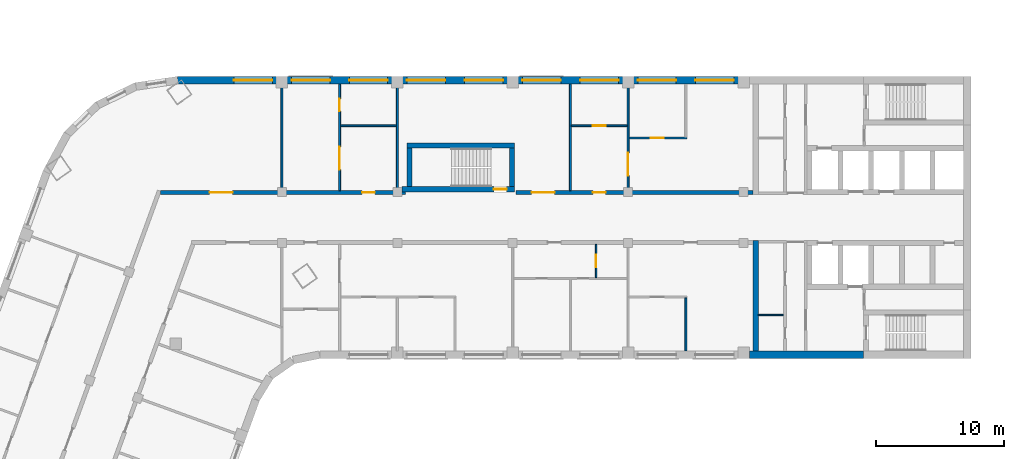
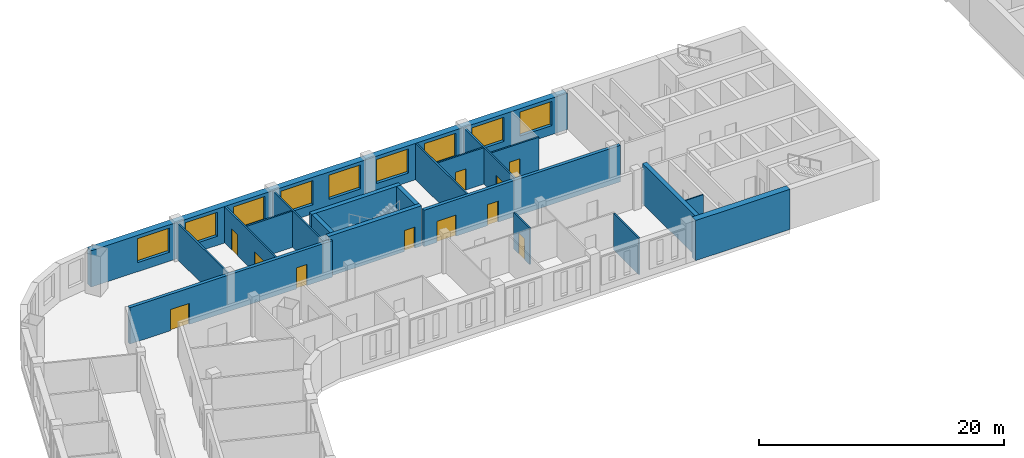
# One storey, part 5 of 12: 20 walls, 11 doors, 9 windows, 20 openings.
"""IFC4 building model written with IfcOpenShell, lengths in metres."""

from ifc_helpers import new_model, si_unit, direction, frame, frame_2d, origin, place, context, subcontext, project, spatial, rectangle, extrude, material, layer, layer_set, type_object, element, fill, save


model = new_model("IFC4")

# Units and contexts
model_context = context("Model", 3, precision=1e-05, world=origin(), true_north=direction((0.0, 1.0)))
body_context = subcontext(model_context, "Body", "Model", "MODEL_VIEW")
ifc_project = project(units=[si_unit("LENGTHUNIT", "METRE"), si_unit("AREAUNIT", "SQUARE_METRE"), si_unit("VOLUMEUNIT", "CUBIC_METRE"), si_unit("PLANEANGLEUNIT", "RADIAN"), si_unit("MASSUNIT", "GRAM", prefix="KILO")], contexts=[model_context])

# Site, building, storey
site_placement = place(None, origin())
site = spatial("IfcSite", under=ifc_project, at=site_placement, CompositionType="ELEMENT")
building_placement = place(site_placement, origin())
building = spatial("IfcBuilding", under=site, at=building_placement, Name="Skarvind Civic Tower", CompositionType="ELEMENT")
storey_placement = place(building_placement, frame((0.0, 0.0, 63.5)))
storey = spatial("IfcBuildingStorey", under=building, at=storey_placement, Name="L14", CompositionType="ELEMENT", Elevation=63.5)

# Wall, openings, doors
ifc_material_1 = material(Name="Fire-rated gypsum board on steel studs", Category="steel")
ifc_layer_1 = layer(ifc_material_1, 0.300048828125)
ifc_layer_set_1 = layer_set([ifc_layer_1], Name="CORRIDOR WALL 300")
wall_type_1 = type_object("IfcWallType", Name="CORRIDOR WALL 300", PredefinedType="PARTITIONING", material=ifc_layer_set_1)
wall_1_placement = place(storey_placement, frame((44.784912109375, 129.949951171875, 0.0), z_axis=(0.0, 0.0, 1.0), x_axis=(1.0, 0.0, 0.0)))
wall_1 = element("IfcWall", 1, at=wall_1_placement, inside=storey, type_object=wall_type_1, Name="Partition 14.016", PredefinedType="PARTITIONING", context=body_context, shape_type="SweptSolid", body=[
    extrude(rectangle(XDim=19.114990234375, YDim=0.300048828125, at=frame_2d((9.5576171875, 0.0))), origin(), (0.0, 0.0, 1.0), 3.625),
])
opening_1_placement = place(wall_1_placement, frame((15.715087890625, 0.0, 0.0)))
opening_1 = element("IfcOpeningElement", 2, at=opening_1_placement, cuts=wall_1, Name="Opening L14-D006", PredefinedType="OPENING", context=body_context, shape_type="SweptSolid", body=[
    extrude(rectangle(XDim=1.0, YDim=2.10009765625, at=frame_2d((0.5, 1.050048828125))), frame((0.0, 0.159912109375, 0.0), z_axis=(0.0, -1.0, 0.0), x_axis=(1.0, 0.0, 0.0)), (0.0, 0.0, 1.0), 0.320068359375),
])
opening_2_placement = place(wall_1_placement, frame((3.822509765625, 0.0, 0.0)))
opening_2 = element("IfcOpeningElement", 3, at=opening_2_placement, cuts=wall_1, Name="Opening L14-D032", PredefinedType="OPENING", context=body_context, shape_type="SweptSolid", body=[
    extrude(rectangle(XDim=1.800048828125, YDim=2.10009765625, at=frame_2d((0.89990234375, 1.050048828125))), frame((0.0, 0.159912109375, 0.0), z_axis=(0.0, -1.0, 0.0), x_axis=(1.0, 0.0, 0.0)), (0.0, 0.0, 1.0), 0.320068359375),
])
ifc_material_2 = material(Name="Fire-rated timber door leaf", Category="wood")
door_type_1 = type_object("IfcDoorType", Name="FD1 1000x2100", OperationType="NOTDEFINED", PredefinedType="DOOR", material=ifc_material_2)
door_1_placement = place(opening_1_placement, origin())
door_1 = element("IfcDoor", 4, at=door_1_placement, inside=storey, type_object=door_type_1, Name="Door L14-D006", OperationType="SINGLE_SWING_LEFT", OverallHeight=2.10009765625, OverallWidth=1.0, PredefinedType="DOOR", context=body_context, shape_type="SweptSolid", body=[
    extrude(rectangle(XDim=1.0, YDim=2.10009765625, at=frame_2d((0.5, 1.050048828125))), frame((0.0, 0.02490234375, 0.0), z_axis=(0.0, -1.0, 0.0), x_axis=(1.0, 0.0, 0.0)), (0.0, 0.0, 1.0), 0.050048828125),
])
fill(opening_1, door_1)
door_type_2 = type_object("IfcDoorType", Name="FD4 1800x2100", OperationType="NOTDEFINED", PredefinedType="DOOR", material=ifc_material_2)
door_2_placement = place(opening_2_placement, origin())
door_2 = element("IfcDoor", 5, at=door_2_placement, inside=storey, type_object=door_type_2, Name="Door L14-D032", OperationType="DOUBLE_DOOR_SINGLE_SWING", OverallHeight=2.10009765625, OverallWidth=1.800048828125, PredefinedType="DOOR", context=body_context, shape_type="SweptSolid", body=[
    extrude(rectangle(XDim=1.800048828125, YDim=2.10009765625, at=frame_2d((0.89990234375, 1.050048828125))), frame((0.0, 0.02490234375, 0.0), z_axis=(0.0, -1.0, 0.0), x_axis=(1.0, 0.0, 0.0)), (0.0, 0.0, 1.0), 0.050048828125),
])
fill(opening_2, door_2)

wall_2_placement = place(storey_placement, frame((72.5, 129.949951171875, 0.0), z_axis=(0.0, 0.0, 1.0), x_axis=(1.0, 0.0, 0.0)))
wall_2 = element("IfcWall", 6, at=wall_2_placement, inside=storey, type_object=wall_type_1, Name="Partition 14.032", PredefinedType="PARTITIONING", context=body_context, shape_type="SweptSolid", body=[
    extrude(rectangle(XDim=18.5, YDim=0.300048828125, at=frame_2d((9.25, 0.0))), origin(), (0.0, 0.0, 1.0), 3.625),
])
opening_3_placement = place(wall_2_placement, frame((6.0, 0.0, 0.0)))
opening_3 = element("IfcOpeningElement", 7, at=opening_3_placement, cuts=wall_2, Name="Opening L14-D001", PredefinedType="OPENING", context=body_context, shape_type="SweptSolid", body=[
    extrude(rectangle(XDim=1.0, YDim=2.10009765625, at=frame_2d((0.5, 1.050048828125))), frame((0.0, 0.159912109375, 0.0), z_axis=(0.0, -1.0, 0.0), x_axis=(1.0, 0.0, 0.0)), (0.0, 0.0, 1.0), 0.320068359375),
])
opening_4_placement = place(wall_2_placement, frame((1.22509765625, 0.0, 0.0)))
opening_4 = element("IfcOpeningElement", 8, at=opening_4_placement, cuts=wall_2, Name="Opening L14-D005", PredefinedType="OPENING", context=body_context, shape_type="SweptSolid", body=[
    extrude(rectangle(XDim=1.800048828125, YDim=2.10009765625, at=frame_2d((0.89990234375, 1.050048828125))), frame((0.0, 0.159912109375, 0.0), z_axis=(0.0, -1.0, 0.0), x_axis=(1.0, 0.0, 0.0)), (0.0, 0.0, 1.0), 0.320068359375),
])
door_3_placement = place(opening_3_placement, origin())
door_3 = element("IfcDoor", 9, at=door_3_placement, inside=storey, type_object=door_type_1, Name="Door L14-D001", OperationType="SINGLE_SWING_RIGHT", OverallHeight=2.10009765625, OverallWidth=1.0, PredefinedType="DOOR", context=body_context, shape_type="SweptSolid", body=[
    extrude(rectangle(XDim=1.0, YDim=2.10009765625, at=frame_2d((0.5, 1.050048828125))), frame((0.0, 0.02490234375, 0.0), z_axis=(0.0, -1.0, 0.0), x_axis=(1.0, 0.0, 0.0)), (0.0, 0.0, 1.0), 0.050048828125),
])
fill(opening_3, door_3)
door_4_placement = place(opening_4_placement, origin())
door_4 = element("IfcDoor", 10, at=door_4_placement, inside=storey, type_object=door_type_2, Name="Door L14-D005", OperationType="DOUBLE_DOOR_SINGLE_SWING", OverallHeight=2.10009765625, OverallWidth=1.800048828125, PredefinedType="DOOR", context=body_context, shape_type="SweptSolid", body=[
    extrude(rectangle(XDim=1.800048828125, YDim=2.10009765625, at=frame_2d((0.89990234375, 1.050048828125))), frame((0.0, 0.02490234375, 0.0), z_axis=(0.0, -1.0, 0.0), x_axis=(1.0, 0.0, 0.0)), (0.0, 0.0, 1.0), 0.050048828125),
])
fill(opening_4, door_4)

# Walls
ifc_material_3 = material(Name="Fire-rated plasterboard partition")
ifc_layer_2 = layer(ifc_material_3, 0.10009765625)
ifc_layer_set_2 = layer_set([ifc_layer_2], Name="Core partition wall 100")
wall_type_2 = type_object("IfcWallType", Name="Core partition wall 100", PredefinedType="PARTITIONING", material=ifc_layer_set_2)
wall_3_placement = place(storey_placement, frame((93.35009765625, 120.39990234375, 0.0), z_axis=(0.0, 0.0, 1.0), x_axis=(-1.0, 0.0, 0.0)))
element("IfcWall", 11, at=wall_3_placement, inside=storey, type_object=wall_type_2, Name="Core wall C1", PredefinedType="PARTITIONING", context=body_context, shape_type="SweptSolid", body=[
    extrude(rectangle(XDim=1.9501953125, YDim=0.10009765625, at=frame_2d((0.97509765625, 0.0))), origin(), (0.0, 0.0, 1.0), 3.625),
])
ifc_material_4 = material(Name="Concrete C80", Category="concrete")
ifc_layer_3 = layer(ifc_material_4, 0.39990234375)
ifc_layer_set_3 = layer_set([ifc_layer_3], Name="Core wall 400 C80")
wall_type_3 = type_object("IfcWallType", Name="Core wall 400 C80", PredefinedType="SHEAR", material=ifc_layer_set_3)
wall_4_placement = place(storey_placement, frame((91.199951171875, 126.199951171875, 0.0), z_axis=(0.0, 0.0, 1.0), x_axis=(0.0, -1.0, 0.0)))
element("IfcWall", 12, at=wall_4_placement, inside=storey, type_object=wall_type_3, Name="Core wall C1 north inner face L14", PredefinedType="SHEAR", context=body_context, shape_type="SweptSolid", body=[
    extrude(rectangle(XDim=8.599853515625, YDim=0.39990234375, at=frame_2d((4.2998046875, 0.0))), origin(), (0.0, 0.0, 1.0), 4.0),
])

# Wall, opening, door
wall_5_placement = place(storey_placement, frame((63.60009765625, 130.199951171875, 0.0), z_axis=(0.0, 0.0, 1.0), x_axis=(1.0, 0.0, 0.0)))
wall_5 = element("IfcWall", 13, at=wall_5_placement, inside=storey, type_object=wall_type_3, Name="Core wall CM inner L14", PredefinedType="SHEAR", context=body_context, shape_type="SweptSolid", body=[
    extrude(rectangle(XDim=8.7998046875, YDim=0.39990234375, at=frame_2d((4.39990234375, 0.0))), origin(), (0.0, 0.0, 1.0), 4.0),
])
opening_5_placement = place(wall_5_placement, frame((7.175048828125, 0.0, 0.0)))
opening_5 = element("IfcOpeningElement", 14, at=opening_5_placement, cuts=wall_5, Name="Opening D-L14-CM-01", PredefinedType="OPENING", context=body_context, shape_type="SweptSolid", body=[
    extrude(rectangle(XDim=1.0, YDim=2.10009765625, at=frame_2d((0.5, 1.050048828125))), frame((0.0, 0.2099609375, 0.0), z_axis=(0.0, -1.0, 0.0), x_axis=(1.0, 0.0, 0.0)), (0.0, 0.0, 1.0), 0.419921875),
])
ifc_material_5 = material(Name="Fire-rated steel door", Category="steel")
door_type_3 = type_object("IfcDoorType", Name="Fire door 1000", OperationType="NOTDEFINED", PredefinedType="DOOR", material=ifc_material_5)
door_5_placement = place(opening_5_placement, origin())
door_5 = element("IfcDoor", 15, at=door_5_placement, inside=storey, type_object=door_type_3, Name="Fire door", OperationType="SINGLE_SWING_LEFT", OverallHeight=2.10009765625, OverallWidth=1.0, PredefinedType="DOOR", context=body_context, shape_type="SweptSolid", body=[
    extrude(rectangle(XDim=1.0, YDim=2.10009765625, at=frame_2d((0.5, 1.050048828125))), frame((0.0, 0.02490234375, 0.0), z_axis=(0.0, -1.0, 0.0), x_axis=(1.0, 0.0, 0.0)), (0.0, 0.0, 1.0), 0.050048828125),
])
fill(opening_5, door_5)

# Walls
wall_6_placement = place(storey_placement, frame((64.0, 133.60009765625, 0.0), z_axis=(0.0, 0.0, 1.0), x_axis=(1.0, 0.0, 0.0)))
element("IfcWall", 16, at=wall_6_placement, inside=storey, type_object=wall_type_3, Name="Core wall CM outer L14", PredefinedType="SHEAR", context=body_context, shape_type="SweptSolid", body=[
    extrude(rectangle(XDim=8.39990234375, YDim=0.39990234375, at=frame_2d((4.199951171875, 0.0))), origin(), (0.0, 0.0, 1.0), 4.0),
])
for number, where, z_axis, x_axis, name in (
    (17, (64.199951171875, 130.39990234375, 0.0), (0.0, 0.0, 1.0), (0.0, 1.0, 0.0), "Core wall CM west L14"),
    (18, (72.199951171875, 130.39990234375, 0.0), (0.0, 0.0, 1.0), (0.0, 1.0, 0.0), "Core wall CM end L14"),
):
    element("IfcWall", number, at=place(storey_placement, frame(where, z_axis=z_axis, x_axis=x_axis)), inside=storey, type_object=wall_type_3, Name=name, PredefinedType="SHEAR", context=body_context, shape_type="SweptSolid", body=[
        extrude(rectangle(XDim=3.0, YDim=0.39990234375, at=frame_2d((1.5, 0.0))), origin(), (0.0, 0.0, 1.0), 4.0),
    ])
ifc_layer_4 = layer(ifc_material_4, 0.60009765625)
ifc_layer_set_4 = layer_set([ifc_layer_4], Name="Core wall 600 C80")
wall_type_4 = type_object("IfcWallType", Name="Core wall 600 C80", PredefinedType="SHEAR", material=ifc_layer_set_4)
wall_7_placement = place(storey_placement, frame((99.60009765625, 117.300048828125, 0.0), z_axis=(0.0, 0.0, 1.0), x_axis=(-1.0, 0.0, 0.0)))
element("IfcWall", 19, at=wall_7_placement, inside=storey, type_object=wall_type_4, Name="Core wall C1 north side L14", PredefinedType="SHEAR", context=body_context, shape_type="SweptSolid", body=[
    extrude(rectangle(XDim=8.900146484375, YDim=0.60009765625, at=frame_2d((4.4501953125, 0.0))), origin(), (0.0, 0.0, 1.0), 4.0),
])
ifc_material_6 = material(Name="Plasterboard partition on steel studs", Category="steel")
ifc_layer_5 = layer(ifc_material_6, 0.14990234375)
ifc_layer_set_5 = layer_set([ifc_layer_5], Name="PARTITION 150")
wall_type_5 = type_object("IfcWallType", Name="PARTITION 150", PredefinedType="PARTITIONING", material=ifc_layer_set_5)
wall_8_placement = place(storey_placement, frame((54.25, 138.39990234375, 0.0), z_axis=(0.0, 0.0, 1.0), x_axis=(0.0, -1.0, 0.0)))
element("IfcWall", 20, at=wall_8_placement, inside=storey, type_object=wall_type_5, Name="Partition 14.022", PredefinedType="PARTITIONING", context=body_context, shape_type="SweptSolid", body=[
    extrude(rectangle(XDim=8.2998046875, YDim=0.14990234375, at=frame_2d((4.14990234375, 0.0))), origin(), (0.0, 0.0, 1.0), 3.625),
])

# Wall, openings, doors
wall_9_placement = place(storey_placement, frame((58.75, 130.10009765625, 0.0), z_axis=(0.0, 0.0, 1.0), x_axis=(0.0, 1.0, 0.0)))
wall_9 = element("IfcWall", 21, at=wall_9_placement, inside=storey, type_object=wall_type_5, Name="Partition 14.025", PredefinedType="PARTITIONING", context=body_context, shape_type="SweptSolid", body=[
    extrude(rectangle(XDim=8.2998046875, YDim=0.14990234375, at=frame_2d((4.14990234375, 0.0))), origin(), (0.0, 0.0, 1.0), 3.625),
])
opening_6_placement = place(wall_9_placement, frame((6.175048828125, 0.0, 0.0)))
opening_6 = element("IfcOpeningElement", 22, at=opening_6_placement, cuts=wall_9, Name="Opening L14-D007", PredefinedType="OPENING", context=body_context, shape_type="SweptSolid", body=[
    extrude(rectangle(XDim=1.0, YDim=2.10009765625, at=frame_2d((0.5, 1.050048828125))), frame((0.0, 0.0849609375, 0.0), z_axis=(0.0, -1.0, 0.0), x_axis=(1.0, 0.0, 0.0)), (0.0, 0.0, 1.0), 0.169921875),
])
opening_7_placement = place(wall_9_placement, frame((1.616455078125, 0.0, 0.0)))
opening_7 = element("IfcOpeningElement", 23, at=opening_7_placement, cuts=wall_9, Name="Opening L14-D008", PredefinedType="OPENING", context=body_context, shape_type="SweptSolid", body=[
    extrude(rectangle(XDim=1.800048828125, YDim=2.10009765625, at=frame_2d((0.89990234375, 1.050048828125))), frame((0.0, 0.0849609375, 0.0), z_axis=(0.0, -1.0, 0.0), x_axis=(1.0, 0.0, 0.0)), (0.0, 0.0, 1.0), 0.169921875),
])
ifc_material_7 = material(Name="Timber door leaf", Category="wood")
door_type_4 = type_object("IfcDoorType", Name="D1 1000x2100", OperationType="NOTDEFINED", PredefinedType="DOOR", material=ifc_material_7)
door_6_placement = place(opening_6_placement, origin())
door_6 = element("IfcDoor", 24, at=door_6_placement, inside=storey, type_object=door_type_4, Name="Door L14-D007", OperationType="SINGLE_SWING_RIGHT", OverallHeight=2.10009765625, OverallWidth=1.0, PredefinedType="DOOR", context=body_context, shape_type="SweptSolid", body=[
    extrude(rectangle(XDim=1.0, YDim=2.10009765625, at=frame_2d((0.5, 1.050048828125))), frame((0.0, 0.02490234375, 0.0), z_axis=(0.0, -1.0, 0.0), x_axis=(1.0, 0.0, 0.0)), (0.0, 0.0, 1.0), 0.050048828125),
])
fill(opening_6, door_6)
door_type_5 = type_object("IfcDoorType", Name="D4 1800x2100", OperationType="NOTDEFINED", PredefinedType="DOOR", material=ifc_material_7)
door_7_placement = place(opening_7_placement, origin())
door_7 = element("IfcDoor", 25, at=door_7_placement, inside=storey, type_object=door_type_5, Name="Door L14-D008", OperationType="DOUBLE_DOOR_SINGLE_SWING", OverallHeight=2.10009765625, OverallWidth=1.800048828125, PredefinedType="DOOR", context=body_context, shape_type="SweptSolid", body=[
    extrude(rectangle(XDim=1.800048828125, YDim=2.10009765625, at=frame_2d((0.89990234375, 1.050048828125))), frame((0.0, 0.02490234375, 0.0), z_axis=(0.0, -1.0, 0.0), x_axis=(1.0, 0.0, 0.0)), (0.0, 0.0, 1.0), 0.050048828125),
])
fill(opening_7, door_7)

# Walls
wall_10_placement = place(storey_placement, frame((63.25, 130.10009765625, 0.0), z_axis=(0.0, 0.0, 1.0), x_axis=(0.0, 1.0, 0.0)))
element("IfcWall", 26, at=wall_10_placement, inside=storey, type_object=wall_type_5, Name="Partition 14.027", PredefinedType="PARTITIONING", context=body_context, shape_type="SweptSolid", body=[
    extrude(rectangle(XDim=8.2998046875, YDim=0.14990234375, at=frame_2d((4.14990234375, 0.0))), origin(), (0.0, 0.0, 1.0), 3.625),
])
wall_11_placement = place(storey_placement, frame((63.175048828125, 135.14990234375, 0.0), z_axis=(0.0, 0.0, 1.0), x_axis=(-1.0, 0.0, 0.0)))
element("IfcWall", 27, at=wall_11_placement, inside=storey, type_object=wall_type_5, Name="Partition 14.028", PredefinedType="PARTITIONING", context=body_context, shape_type="SweptSolid", body=[
    extrude(rectangle(XDim=4.35009765625, YDim=0.14990234375, at=frame_2d((2.175048828125, 0.0))), origin(), (0.0, 0.0, 1.0), 3.625),
])
wall_12_placement = place(storey_placement, frame((76.75, 130.10009765625, 0.0), z_axis=(0.0, 0.0, 1.0), x_axis=(0.0, 1.0, 0.0)))
element("IfcWall", 28, at=wall_12_placement, inside=storey, type_object=wall_type_5, Name="Partition 14.034", PredefinedType="PARTITIONING", context=body_context, shape_type="SweptSolid", body=[
    extrude(rectangle(XDim=8.2998046875, YDim=0.14990234375, at=frame_2d((4.14990234375, 0.0))), origin(), (0.0, 0.0, 1.0), 3.625),
])

# Wall, opening, door
wall_13_placement = place(storey_placement, frame((81.25, 130.10009765625, 0.0), z_axis=(0.0, 0.0, 1.0), x_axis=(0.0, 1.0, 0.0)))
wall_13 = element("IfcWall", 29, at=wall_13_placement, inside=storey, type_object=wall_type_5, Name="Partition 14.037", PredefinedType="PARTITIONING", context=body_context, shape_type="SweptSolid", body=[
    extrude(rectangle(XDim=8.2998046875, YDim=0.14990234375, at=frame_2d((4.14990234375, 0.0))), origin(), (0.0, 0.0, 1.0), 3.625),
])
opening_8_placement = place(wall_13_placement, frame((1.139892578125, 0.0, 0.0)))
opening_8 = element("IfcOpeningElement", 30, at=opening_8_placement, cuts=wall_13, Name="Opening L14-D004", PredefinedType="OPENING", context=body_context, shape_type="SweptSolid", body=[
    extrude(rectangle(XDim=1.800048828125, YDim=2.10009765625, at=frame_2d((0.89990234375, 1.050048828125))), frame((0.0, 0.0849609375, 0.0), z_axis=(0.0, -1.0, 0.0), x_axis=(1.0, 0.0, 0.0)), (0.0, 0.0, 1.0), 0.169921875),
])
door_8_placement = place(opening_8_placement, origin())
door_8 = element("IfcDoor", 31, at=door_8_placement, inside=storey, type_object=door_type_5, Name="Door L14-D004", OperationType="DOUBLE_DOOR_SINGLE_SWING", OverallHeight=2.10009765625, OverallWidth=1.800048828125, PredefinedType="DOOR", context=body_context, shape_type="SweptSolid", body=[
    extrude(rectangle(XDim=1.800048828125, YDim=2.10009765625, at=frame_2d((0.89990234375, 1.050048828125))), frame((0.0, 0.02490234375, 0.0), z_axis=(0.0, -1.0, 0.0), x_axis=(1.0, 0.0, 0.0)), (0.0, 0.0, 1.0), 0.050048828125),
])
fill(opening_8, door_8)

wall_14_placement = place(storey_placement, frame((85.824951171875, 134.199951171875, 0.0), z_axis=(0.0, 0.0, 1.0), x_axis=(-1.0, 0.0, 0.0)))
wall_14 = element("IfcWall", 32, at=wall_14_placement, inside=storey, type_object=wall_type_5, Name="Partition 14.038", PredefinedType="PARTITIONING", context=body_context, shape_type="SweptSolid", body=[
    extrude(rectangle(XDim=4.5, YDim=0.14990234375, at=frame_2d((2.25, 0.0))), origin(), (0.0, 0.0, 1.0), 3.625),
])
opening_9_placement = place(wall_14_placement, frame((1.797607421875, 0.0, 0.0)))
opening_9 = element("IfcOpeningElement", 33, at=opening_9_placement, cuts=wall_14, Name="Opening L14-D002", PredefinedType="OPENING", context=body_context, shape_type="SweptSolid", body=[
    extrude(rectangle(XDim=1.0, YDim=2.10009765625, at=frame_2d((0.5, 1.050048828125))), frame((0.0, 0.0849609375, 0.0), z_axis=(0.0, -1.0, 0.0), x_axis=(1.0, 0.0, 0.0)), (0.0, 0.0, 1.0), 0.169921875),
])
door_9_placement = place(opening_9_placement, origin())
door_9 = element("IfcDoor", 34, at=door_9_placement, inside=storey, type_object=door_type_4, Name="Door L14-D002", OperationType="SINGLE_SWING_LEFT", OverallHeight=2.10009765625, OverallWidth=1.0, PredefinedType="DOOR", context=body_context, shape_type="SweptSolid", body=[
    extrude(rectangle(XDim=1.0, YDim=2.10009765625, at=frame_2d((0.5, 1.050048828125))), frame((0.0, 0.02490234375, 0.0), z_axis=(0.0, -1.0, 0.0), x_axis=(1.0, 0.0, 0.0)), (0.0, 0.0, 1.0), 0.050048828125),
])
fill(opening_9, door_9)

wall_15_placement = place(storey_placement, frame((81.175048828125, 135.14990234375, 0.0), z_axis=(0.0, 0.0, 1.0), x_axis=(-1.0, 0.0, 0.0)))
wall_15 = element("IfcWall", 35, at=wall_15_placement, inside=storey, type_object=wall_type_5, Name="Partition 14.039", PredefinedType="PARTITIONING", context=body_context, shape_type="SweptSolid", body=[
    extrude(rectangle(XDim=4.35009765625, YDim=0.14990234375, at=frame_2d((2.175048828125, 0.0))), origin(), (0.0, 0.0, 1.0), 3.625),
])
opening_10_placement = place(wall_15_placement, frame((1.675048828125, 0.0, 0.0)))
opening_10 = element("IfcOpeningElement", 36, at=opening_10_placement, cuts=wall_15, Name="Opening L14-D003", PredefinedType="OPENING", context=body_context, shape_type="SweptSolid", body=[
    extrude(rectangle(XDim=1.0, YDim=2.10009765625, at=frame_2d((0.5, 1.050048828125))), frame((0.0, 0.0849609375, 0.0), z_axis=(0.0, -1.0, 0.0), x_axis=(1.0, 0.0, 0.0)), (0.0, 0.0, 1.0), 0.169921875),
])
door_10_placement = place(opening_10_placement, origin())
door_10 = element("IfcDoor", 37, at=door_10_placement, inside=storey, type_object=door_type_4, Name="Door L14-D003", OperationType="SINGLE_SWING_LEFT", OverallHeight=2.10009765625, OverallWidth=1.0, PredefinedType="DOOR", context=body_context, shape_type="SweptSolid", body=[
    extrude(rectangle(XDim=1.0, YDim=2.10009765625, at=frame_2d((0.5, 1.050048828125))), frame((0.0, 0.02490234375, 0.0), z_axis=(0.0, -1.0, 0.0), x_axis=(1.0, 0.0, 0.0)), (0.0, 0.0, 1.0), 0.050048828125),
])
fill(opening_10, door_10)

# Wall
wall_16_placement = place(storey_placement, frame((85.75, 117.60009765625, 0.0), z_axis=(0.0, 0.0, 1.0), x_axis=(0.0, 1.0, 0.0)))
element("IfcWall", 38, at=wall_16_placement, inside=storey, type_object=wall_type_5, Name="Partition 14.040", PredefinedType="PARTITIONING", context=body_context, shape_type="SweptSolid", body=[
    extrude(rectangle(XDim=4.125, YDim=0.14990234375, at=frame_2d((2.0625, 0.0))), origin(), (0.0, 0.0, 1.0), 3.625),
])

# Wall, opening, door
ifc_material_8 = material(Name="Moisture-resistant gypsum board on steel studs", Category="steel")
ifc_layer_6 = layer(ifc_material_8, 0.125)
ifc_layer_set_6 = layer_set([ifc_layer_6], Name="WC PARTITION 125")
wall_type_6 = type_object("IfcWallType", Name="WC PARTITION 125", PredefinedType="PARTITIONING", material=ifc_layer_set_6)
wall_17_placement = place(storey_placement, frame((78.75, 125.89990234375, 0.0), z_axis=(0.0, 0.0, 1.0), x_axis=(0.0, -1.0, 0.0)))
wall_17 = element("IfcWall", 39, at=wall_17_placement, inside=storey, type_object=wall_type_6, Name="Partition 14.035", PredefinedType="PARTITIONING", context=body_context, shape_type="SweptSolid", body=[
    extrude(rectangle(XDim=2.587890625, YDim=0.125, at=frame_2d((1.2939453125, 0.0))), origin(), (0.0, 0.0, 1.0), 3.625),
])
opening_11_placement = place(wall_17_placement, frame((0.7939453125, 0.0, 0.0)))
opening_11 = element("IfcOpeningElement", 40, at=opening_11_placement, cuts=wall_17, Name="Opening L14-D012", PredefinedType="OPENING", context=body_context, shape_type="SweptSolid", body=[
    extrude(rectangle(XDim=1.0, YDim=2.10009765625, at=frame_2d((0.5, 1.050048828125))), frame((0.0, 0.072509765625, 0.0), z_axis=(0.0, -1.0, 0.0), x_axis=(1.0, 0.0, 0.0)), (0.0, 0.0, 1.0), 0.14501953125),
])
door_11_placement = place(opening_11_placement, origin())
door_11 = element("IfcDoor", 41, at=door_11_placement, inside=storey, type_object=door_type_4, Name="Door L14-D012", OperationType="SINGLE_SWING_RIGHT", OverallHeight=2.10009765625, OverallWidth=1.0, PredefinedType="DOOR", context=body_context, shape_type="SweptSolid", body=[
    extrude(rectangle(XDim=1.0, YDim=2.10009765625, at=frame_2d((0.5, 1.050048828125))), frame((0.0, 0.02490234375, 0.0), z_axis=(0.0, -1.0, 0.0), x_axis=(1.0, 0.0, 0.0)), (0.0, 0.0, 1.0), 0.050048828125),
])
fill(opening_11, door_11)

# Wall, openings, windows
ifc_material_9 = material(Name="Limestone masonry cladding on insulated backing", Category="masonry")
ifc_layer_7 = layer(ifc_material_9, 0.60009765625)
ifc_layer_set_7 = layer_set([ifc_layer_7], Name="WX1 STONE FACADE WALL 600")
wall_type_7 = type_object("IfcWallType", Name="WX1 STONE FACADE WALL 600", PredefinedType="SOLIDWALL", material=ifc_layer_set_7)
wall_18_placement = place(storey_placement, frame((46.095458984375, 138.699951171875, 0.0), z_axis=(0.0, 0.0, 1.0), x_axis=(1.0, 0.0, 0.0)))
wall_18 = element("IfcWall", 42, at=wall_18_placement, inside=storey, type_object=wall_type_7, Name="STONE FACADE WALL", PredefinedType="SOLIDWALL", context=body_context, shape_type="SweptSolid", body=[
    extrude(rectangle(XDim=44.884521484375, YDim=0.60009765625, at=frame_2d((22.4423828125, 0.0))), origin(), (0.0, 0.0, 1.0), 3.625),
])
opening_12_placement = place(wall_18_placement, frame((4.404541015625, 0.0, 0.89990234375)))
opening_12 = element("IfcOpeningElement", 43, at=opening_12_placement, cuts=wall_18, Name="Opening WN1", PredefinedType="OPENING", context=body_context, shape_type="SweptSolid", body=[
    extrude(rectangle(XDim=3.0, YDim=2.39990234375, at=frame_2d((1.5, 1.199951171875))), frame((0.0, 0.31005859375, 0.0), z_axis=(0.0, -1.0, 0.0), x_axis=(1.0, 0.0, 0.0)), (0.0, 0.0, 1.0), 0.6201171875),
])
opening_13_placement = place(wall_18_placement, frame((8.904541015625, 0.0, 0.89990234375)))
opening_13 = element("IfcOpeningElement", 44, at=opening_13_placement, cuts=wall_18, Name="Opening WN1", PredefinedType="OPENING", context=body_context, shape_type="SweptSolid", body=[
    extrude(rectangle(XDim=3.0, YDim=2.39990234375, at=frame_2d((1.5, 1.199951171875))), frame((0.0, 0.31005859375, 0.0), z_axis=(0.0, -1.0, 0.0), x_axis=(1.0, 0.0, 0.0)), (0.0, 0.0, 1.0), 0.6201171875),
])
opening_14_placement = place(wall_18_placement, frame((13.404541015625, 0.0, 0.89990234375)))
opening_14 = element("IfcOpeningElement", 45, at=opening_14_placement, cuts=wall_18, Name="Opening WN1", PredefinedType="OPENING", context=body_context, shape_type="SweptSolid", body=[
    extrude(rectangle(XDim=3.0, YDim=2.39990234375, at=frame_2d((1.5, 1.199951171875))), frame((0.0, 0.31005859375, 0.0), z_axis=(0.0, -1.0, 0.0), x_axis=(1.0, 0.0, 0.0)), (0.0, 0.0, 1.0), 0.6201171875),
])
opening_15_placement = place(wall_18_placement, frame((17.904541015625, 0.0, 0.89990234375)))
opening_15 = element("IfcOpeningElement", 46, at=opening_15_placement, cuts=wall_18, Name="Opening WN1", PredefinedType="OPENING", context=body_context, shape_type="SweptSolid", body=[
    extrude(rectangle(XDim=3.0, YDim=2.39990234375, at=frame_2d((1.5, 1.199951171875))), frame((0.0, 0.31005859375, 0.0), z_axis=(0.0, -1.0, 0.0), x_axis=(1.0, 0.0, 0.0)), (0.0, 0.0, 1.0), 0.6201171875),
])
opening_16_placement = place(wall_18_placement, frame((22.404541015625, 0.0, 0.89990234375)))
opening_16 = element("IfcOpeningElement", 47, at=opening_16_placement, cuts=wall_18, Name="Opening WN1", PredefinedType="OPENING", context=body_context, shape_type="SweptSolid", body=[
    extrude(rectangle(XDim=3.0, YDim=2.39990234375, at=frame_2d((1.5, 1.199951171875))), frame((0.0, 0.31005859375, 0.0), z_axis=(0.0, -1.0, 0.0), x_axis=(1.0, 0.0, 0.0)), (0.0, 0.0, 1.0), 0.6201171875),
])
opening_17_placement = place(wall_18_placement, frame((26.904541015625, 0.0, 0.89990234375)))
opening_17 = element("IfcOpeningElement", 48, at=opening_17_placement, cuts=wall_18, Name="Opening WN1", PredefinedType="OPENING", context=body_context, shape_type="SweptSolid", body=[
    extrude(rectangle(XDim=3.0, YDim=2.39990234375, at=frame_2d((1.5, 1.199951171875))), frame((0.0, 0.31005859375, 0.0), z_axis=(0.0, -1.0, 0.0), x_axis=(1.0, 0.0, 0.0)), (0.0, 0.0, 1.0), 0.6201171875),
])
opening_18_placement = place(wall_18_placement, frame((31.404541015625, 0.0, 0.89990234375)))
opening_18 = element("IfcOpeningElement", 49, at=opening_18_placement, cuts=wall_18, Name="Opening WN1", PredefinedType="OPENING", context=body_context, shape_type="SweptSolid", body=[
    extrude(rectangle(XDim=3.0, YDim=2.39990234375, at=frame_2d((1.5, 1.199951171875))), frame((0.0, 0.31005859375, 0.0), z_axis=(0.0, -1.0, 0.0), x_axis=(1.0, 0.0, 0.0)), (0.0, 0.0, 1.0), 0.6201171875),
])
opening_19_placement = place(wall_18_placement, frame((35.904541015625, 0.0, 0.89990234375)))
opening_19 = element("IfcOpeningElement", 50, at=opening_19_placement, cuts=wall_18, Name="Opening WN1", PredefinedType="OPENING", context=body_context, shape_type="SweptSolid", body=[
    extrude(rectangle(XDim=3.0, YDim=2.39990234375, at=frame_2d((1.5, 1.199951171875))), frame((0.0, 0.31005859375, 0.0), z_axis=(0.0, -1.0, 0.0), x_axis=(1.0, 0.0, 0.0)), (0.0, 0.0, 1.0), 0.6201171875),
])
opening_20_placement = place(wall_18_placement, frame((40.404541015625, 0.0, 0.89990234375)))
opening_20 = element("IfcOpeningElement", 51, at=opening_20_placement, cuts=wall_18, Name="Opening WN1", PredefinedType="OPENING", context=body_context, shape_type="SweptSolid", body=[
    extrude(rectangle(XDim=3.0, YDim=2.39990234375, at=frame_2d((1.5, 1.199951171875))), frame((0.0, 0.31005859375, 0.0), z_axis=(0.0, -1.0, 0.0), x_axis=(1.0, 0.0, 0.0)), (0.0, 0.0, 1.0), 0.6201171875),
])
ifc_material_10 = material(Name="Timber frame, double glazing, timber-lined reveal", Category="wood")
window_type = type_object("IfcWindowType", Name="WN1 PUNCHED STONE WINDOW 3000 x 2400", PartitioningType="SINGLE_PANEL", PredefinedType="WINDOW", material=ifc_material_10)
window_1_placement = place(opening_12_placement, origin())
window_1 = element("IfcWindow", 52, at=window_1_placement, inside=storey, type_object=window_type, Name="WN1 WINDOW", OverallHeight=2.39990234375, OverallWidth=3.0, PartitioningType="SINGLE_PANEL", PredefinedType="WINDOW", context=body_context, shape_type="SweptSolid", body=[
    extrude(rectangle(XDim=3.0, YDim=2.39990234375, at=frame_2d((1.5, 1.199951171875))), frame((0.0, 0.030029296875, 0.0), z_axis=(0.0, -1.0, 0.0), x_axis=(1.0, 0.0, 0.0)), (0.0, 0.0, 1.0), 0.06005859375),
])
fill(opening_12, window_1)
window_2_placement = place(opening_13_placement, origin())
window_2 = element("IfcWindow", 53, at=window_2_placement, inside=storey, type_object=window_type, Name="WN1 WINDOW", OverallHeight=2.39990234375, OverallWidth=3.0, PartitioningType="SINGLE_PANEL", PredefinedType="WINDOW", context=body_context, shape_type="SweptSolid", body=[
    extrude(rectangle(XDim=3.0, YDim=2.39990234375, at=frame_2d((1.5, 1.199951171875))), frame((0.0, 0.030029296875, 0.0), z_axis=(0.0, -1.0, 0.0), x_axis=(1.0, 0.0, 0.0)), (0.0, 0.0, 1.0), 0.06005859375),
])
fill(opening_13, window_2)
window_3_placement = place(opening_14_placement, origin())
window_3 = element("IfcWindow", 54, at=window_3_placement, inside=storey, type_object=window_type, Name="WN1 WINDOW", OverallHeight=2.39990234375, OverallWidth=3.0, PartitioningType="SINGLE_PANEL", PredefinedType="WINDOW", context=body_context, shape_type="SweptSolid", body=[
    extrude(rectangle(XDim=3.0, YDim=2.39990234375, at=frame_2d((1.5, 1.199951171875))), frame((0.0, 0.030029296875, 0.0), z_axis=(0.0, -1.0, 0.0), x_axis=(1.0, 0.0, 0.0)), (0.0, 0.0, 1.0), 0.06005859375),
])
fill(opening_14, window_3)
window_4_placement = place(opening_15_placement, origin())
window_4 = element("IfcWindow", 55, at=window_4_placement, inside=storey, type_object=window_type, Name="WN1 WINDOW", OverallHeight=2.39990234375, OverallWidth=3.0, PartitioningType="SINGLE_PANEL", PredefinedType="WINDOW", context=body_context, shape_type="SweptSolid", body=[
    extrude(rectangle(XDim=3.0, YDim=2.39990234375, at=frame_2d((1.5, 1.199951171875))), frame((0.0, 0.030029296875, 0.0), z_axis=(0.0, -1.0, 0.0), x_axis=(1.0, 0.0, 0.0)), (0.0, 0.0, 1.0), 0.06005859375),
])
fill(opening_15, window_4)
window_5_placement = place(opening_16_placement, origin())
window_5 = element("IfcWindow", 56, at=window_5_placement, inside=storey, type_object=window_type, Name="WN1 WINDOW", OverallHeight=2.39990234375, OverallWidth=3.0, PartitioningType="SINGLE_PANEL", PredefinedType="WINDOW", context=body_context, shape_type="SweptSolid", body=[
    extrude(rectangle(XDim=3.0, YDim=2.39990234375, at=frame_2d((1.5, 1.199951171875))), frame((0.0, 0.030029296875, 0.0), z_axis=(0.0, -1.0, 0.0), x_axis=(1.0, 0.0, 0.0)), (0.0, 0.0, 1.0), 0.06005859375),
])
fill(opening_16, window_5)
window_6_placement = place(opening_17_placement, origin())
window_6 = element("IfcWindow", 57, at=window_6_placement, inside=storey, type_object=window_type, Name="WN1 WINDOW", OverallHeight=2.39990234375, OverallWidth=3.0, PartitioningType="SINGLE_PANEL", PredefinedType="WINDOW", context=body_context, shape_type="SweptSolid", body=[
    extrude(rectangle(XDim=3.0, YDim=2.39990234375, at=frame_2d((1.5, 1.199951171875))), frame((0.0, 0.030029296875, 0.0), z_axis=(0.0, -1.0, 0.0), x_axis=(1.0, 0.0, 0.0)), (0.0, 0.0, 1.0), 0.06005859375),
])
fill(opening_17, window_6)
window_7_placement = place(opening_18_placement, origin())
window_7 = element("IfcWindow", 58, at=window_7_placement, inside=storey, type_object=window_type, Name="WN1 WINDOW", OverallHeight=2.39990234375, OverallWidth=3.0, PartitioningType="SINGLE_PANEL", PredefinedType="WINDOW", context=body_context, shape_type="SweptSolid", body=[
    extrude(rectangle(XDim=3.0, YDim=2.39990234375, at=frame_2d((1.5, 1.199951171875))), frame((0.0, 0.030029296875, 0.0), z_axis=(0.0, -1.0, 0.0), x_axis=(1.0, 0.0, 0.0)), (0.0, 0.0, 1.0), 0.06005859375),
])
fill(opening_18, window_7)
window_8_placement = place(opening_19_placement, origin())
window_8 = element("IfcWindow", 59, at=window_8_placement, inside=storey, type_object=window_type, Name="WN1 WINDOW", OverallHeight=2.39990234375, OverallWidth=3.0, PartitioningType="SINGLE_PANEL", PredefinedType="WINDOW", context=body_context, shape_type="SweptSolid", body=[
    extrude(rectangle(XDim=3.0, YDim=2.39990234375, at=frame_2d((1.5, 1.199951171875))), frame((0.0, 0.030029296875, 0.0), z_axis=(0.0, -1.0, 0.0), x_axis=(1.0, 0.0, 0.0)), (0.0, 0.0, 1.0), 0.06005859375),
])
fill(opening_19, window_8)
window_9_placement = place(opening_20_placement, origin())
window_9 = element("IfcWindow", 60, at=window_9_placement, inside=storey, type_object=window_type, Name="WN1 WINDOW", OverallHeight=2.39990234375, OverallWidth=3.0, PartitioningType="SINGLE_PANEL", PredefinedType="WINDOW", context=body_context, shape_type="SweptSolid", body=[
    extrude(rectangle(XDim=3.0, YDim=2.39990234375, at=frame_2d((1.5, 1.199951171875))), frame((0.0, 0.030029296875, 0.0), z_axis=(0.0, -1.0, 0.0), x_axis=(1.0, 0.0, 0.0)), (0.0, 0.0, 1.0), 0.06005859375),
])
fill(opening_20, window_9)

save(model, "model.ifc")
